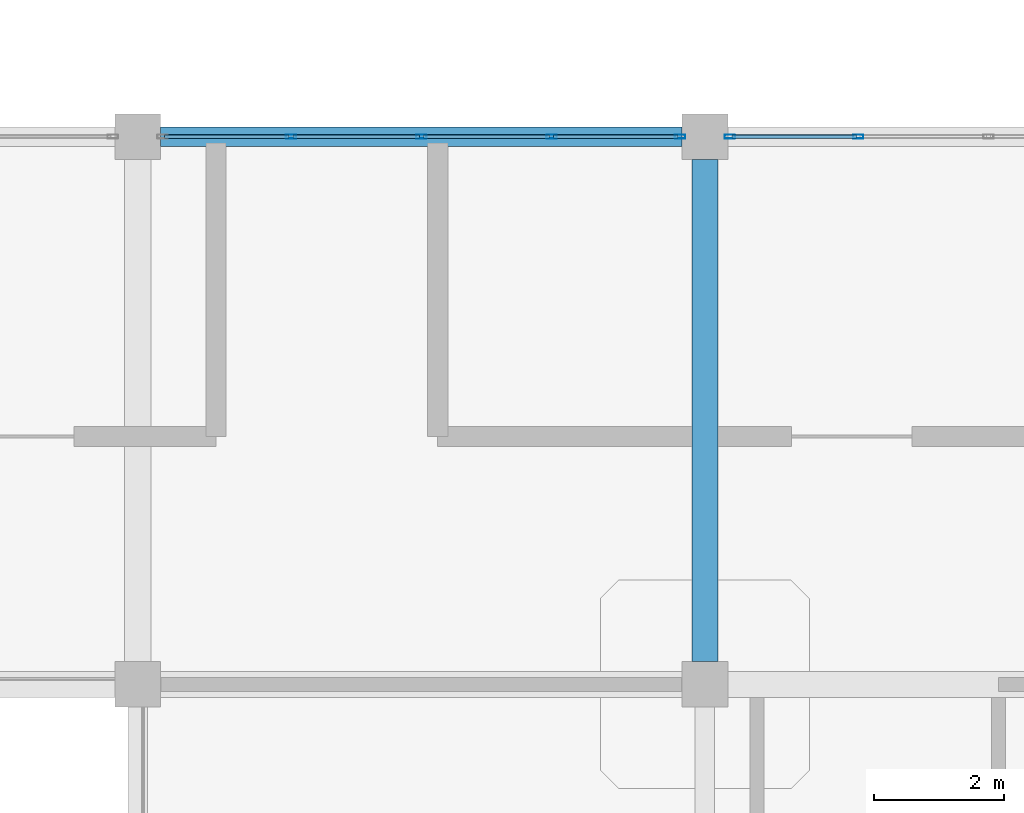
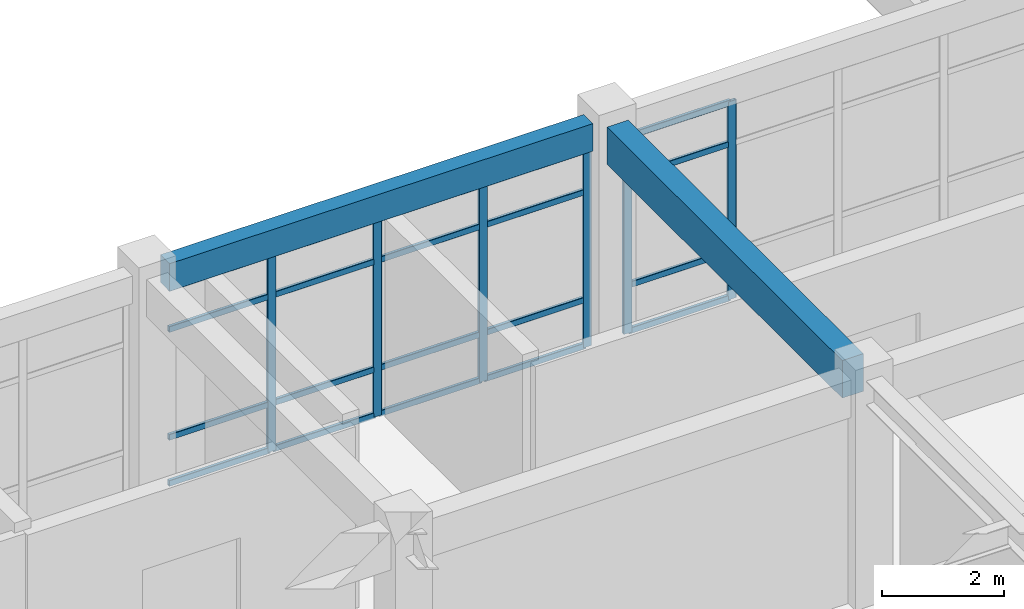
# One storey, part 38 of 76: 26 members, 2 beams, 2 elements without a shape of their own.
"""IFC4 building model written with IfcOpenShell, lengths in metres."""

from ifc_helpers import new_model, si_unit, derived_unit, direction, frame, origin, origin_2d, place, context, subcontext, project, spatial, rectangle, hollow_rectangle, extrude, material, layer, layer_set, material_profile, profile_set, type_object, element, aggregate, save


model = new_model("IFC4")

# Units and contexts
model_context = context("Model", 3, precision=1e-05, world=origin(), true_north=direction((0.0, 1.0)))
body_context = subcontext(model_context, "Body", "Model", "MODEL_VIEW")
ifc_project = project(units=[si_unit("LENGTHUNIT", "METRE"), si_unit("AREAUNIT", "SQUARE_METRE"), si_unit("VOLUMEUNIT", "CUBIC_METRE"), si_unit("PLANEANGLEUNIT", "RADIAN"), si_unit("MASSUNIT", "GRAM", prefix="KILO"), derived_unit("THERMALTRANSMITTANCEUNIT", [(si_unit("MASSUNIT", "GRAM", prefix="KILO"), 1), (si_unit("TIMEUNIT", "SECOND"), -3), (si_unit("THERMODYNAMICTEMPERATUREUNIT", "KELVIN"), -1)])], contexts=[model_context])

# Site, building, storey
site_placement = place(None, origin())
site = spatial("IfcSite", under=ifc_project, at=site_placement, CompositionType="ELEMENT")
building_placement = place(site_placement, origin())
building = spatial("IfcBuilding", under=site, at=building_placement, Name="Qinzheling Arcade Emporium", CompositionType="ELEMENT")
storey_placement = place(building_placement, frame((0.0, 0.0, 26.699951171875)))
storey = spatial("IfcBuildingStorey", under=building, at=storey_placement, Name="L06", CompositionType="ELEMENT", Elevation=26.699951171875)

# Curtain wall, members
ifc_material_1 = material(Name="Anodised aluminium and solar-control double glazing", Category="aluminium")
ifc_layer = layer(ifc_material_1, 0.159912109375, Name="Anodised aluminium and solar-control double glazing", Category="aluminium")
ifc_layer_set = layer_set([ifc_layer], Name="Anodised aluminium and solar-control double glazing")
curtain_wall_type = type_object("IfcCurtainWallType", Name="Atrium Clerestory Curtain Wall", PredefinedType="NOTDEFINED", material=ifc_layer_set)
curtain_wall_1_placement = place(storey_placement, origin())
curtain_wall_1 = element("IfcCurtainWall", 1, at=curtain_wall_1_placement, inside=storey, type_object=curtain_wall_type, Name="Curtain Wall CW-L06-371", PredefinedType="NOTDEFINED")
ifc_material_2 = material(Name="Anodised aluminium 6063-T6", Category="aluminium")
ifc_material_profile_1 = material_profile(ifc_material_2, hollow_rectangle(XDim=0.06005859375, YDim=0.159912109375, WallThickness=0.00390625, InnerFilletRadius=0.00390625, OuterFilletRadius=0.008056640625, at=origin_2d()), Name="RHS 160x60x4", Category="aluminium")
ifc_profile_set_1 = profile_set([ifc_material_profile_1], Name="Anodised aluminium 6063-T6")
member_type_1 = type_object("IfcMemberType", Name="Curtain Wall Mullion RHS160x60", PredefinedType="MULLION", material=ifc_profile_set_1)
member_1_placement = place(storey_placement, frame((89.35107421875, 73.800048828125, 0.0), z_axis=(0.0, 0.0, 1.0), x_axis=(0.0, 1.0, 0.0)))
member_1 = element("IfcMember", 2, at=member_1_placement, type_object=member_type_1, Name="CW03 mullion 2", PredefinedType="MULLION", context=body_context, shape_type="SweptSolid", body=[
    extrude(hollow_rectangle(XDim=0.06005859375, YDim=0.159912109375, WallThickness=0.00390625, InnerFilletRadius=0.00390625, OuterFilletRadius=0.008056640625, at=origin_2d()), origin(), (0.0, 0.0, 1.0), 3.955078125),
])
member_2_placement = place(storey_placement, frame((91.35009765625, 73.800048828125, 0.0), z_axis=(0.0, 0.0, 1.0), x_axis=(0.0, 1.0, 0.0)))
member_2 = element("IfcMember", 3, at=member_2_placement, type_object=member_type_1, Name="CW03 mullion 3", PredefinedType="MULLION", context=body_context, shape_type="SweptSolid", body=[
    extrude(hollow_rectangle(XDim=0.06005859375, YDim=0.159912109375, WallThickness=0.00390625, InnerFilletRadius=0.00390625, OuterFilletRadius=0.008056640625, at=origin_2d()), origin(), (0.0, 0.0, 1.0), 3.955078125),
])
member_3_placement = place(storey_placement, frame((93.34912109375, 73.800048828125, 0.0), z_axis=(0.0, 0.0, 1.0), x_axis=(0.0, 1.0, 0.0)))
member_3 = element("IfcMember", 4, at=member_3_placement, type_object=member_type_1, Name="CW03 mullion 4", PredefinedType="MULLION", context=body_context, shape_type="SweptSolid", body=[
    extrude(hollow_rectangle(XDim=0.06005859375, YDim=0.159912109375, WallThickness=0.00390625, InnerFilletRadius=0.00390625, OuterFilletRadius=0.008056640625, at=origin_2d()), origin(), (0.0, 0.0, 1.0), 3.955078125),
])
member_4_placement = place(storey_placement, frame((95.318115234375, 73.800048828125, 0.0), z_axis=(0.0, 0.0, 1.0), x_axis=(0.0, 1.0, 0.0)))
member_4 = element("IfcMember", 5, at=member_4_placement, type_object=member_type_1, Name="CW03 mullion 5", PredefinedType="MULLION", context=body_context, shape_type="SweptSolid", body=[
    extrude(hollow_rectangle(XDim=0.06005859375, YDim=0.159912109375, WallThickness=0.00390625, InnerFilletRadius=0.00390625, OuterFilletRadius=0.008056640625, at=origin_2d()), origin(), (0.0, 0.0, 1.0), 3.955078125),
])

curtain_wall_2_placement = place(storey_placement, origin())
curtain_wall_2 = element("IfcCurtainWall", 6, at=curtain_wall_2_placement, inside=storey, type_object=curtain_wall_type, Name="Curtain Wall CW-L06-372", PredefinedType="NOTDEFINED")
member_5_placement = place(storey_placement, frame((96.08203125, 73.800048828125, 0.0), z_axis=(0.0, 0.0, 1.0), x_axis=(0.0, 1.0, 0.0)))
member_5 = element("IfcMember", 7, at=member_5_placement, type_object=member_type_1, Name="CW03 mullion 1", PredefinedType="MULLION", context=body_context, shape_type="SweptSolid", body=[
    extrude(hollow_rectangle(XDim=0.06005859375, YDim=0.159912109375, WallThickness=0.00390625, InnerFilletRadius=0.00390625, OuterFilletRadius=0.008056640625, at=origin_2d()), origin(), (0.0, 0.0, 1.0), 3.955078125),
])
member_6_placement = place(storey_placement, frame((98.051025390625, 73.800048828125, 0.0), z_axis=(0.0, 0.0, 1.0), x_axis=(0.0, 1.0, 0.0)))
member_6 = element("IfcMember", 8, at=member_6_placement, type_object=member_type_1, Name="CW03 mullion 2", PredefinedType="MULLION", context=body_context, shape_type="SweptSolid", body=[
    extrude(hollow_rectangle(XDim=0.06005859375, YDim=0.159912109375, WallThickness=0.00390625, InnerFilletRadius=0.00390625, OuterFilletRadius=0.008056640625, at=origin_2d()), origin(), (0.0, 0.0, 1.0), 3.955078125),
])

# Member
ifc_material_profile_2 = material_profile(ifc_material_2, hollow_rectangle(XDim=0.06005859375, YDim=0.1201171875, WallThickness=0.00390625, InnerFilletRadius=0.00390625, OuterFilletRadius=0.008056640625, at=origin_2d()), Name="RHS 120x60x4", Category="aluminium")
ifc_profile_set_2 = profile_set([ifc_material_profile_2], Name="Anodised aluminium 6063-T6")
member_type_2 = type_object("IfcMemberType", Name="Curtain Wall Transom RHS120x60", PredefinedType="USERDEFINED", material=ifc_profile_set_2)
member_7_placement = place(storey_placement, frame((87.412109375, 73.800048828125, 0.030029296875), z_axis=(1.0, 0.0, 0.0), x_axis=(0.0, 1.0, 0.0)))
member_7 = element("IfcMember", 9, at=member_7_placement, type_object=member_type_2, Name="CW03 transom 1.1", ObjectType="TRANSOM", PredefinedType="USERDEFINED", context=body_context, shape_type="SweptSolid", body=[
    extrude(hollow_rectangle(XDim=0.06005859375, YDim=0.1201171875, WallThickness=0.00390625, InnerFilletRadius=0.00390625, OuterFilletRadius=0.008056640625, at=origin_2d()), origin(), (0.0, 0.0, 1.0), 1.908935546875),
])

member_8_placement = place(storey_placement, frame((87.412109375, 73.800048828125, 0.949951171875), z_axis=(1.0, 0.0, 0.0), x_axis=(0.0, 1.0, 0.0)))
member_8 = element("IfcMember", 10, at=member_8_placement, type_object=member_type_2, Name="CW03 transom 1.2", ObjectType="TRANSOM", PredefinedType="USERDEFINED", context=body_context, shape_type="SweptSolid", body=[
    extrude(hollow_rectangle(XDim=0.06005859375, YDim=0.1201171875, WallThickness=0.00390625, InnerFilletRadius=0.00390625, OuterFilletRadius=0.008056640625, at=origin_2d()), origin(), (0.0, 0.0, 1.0), 1.908935546875),
])

member_9_placement = place(storey_placement, frame((87.412109375, 73.800048828125, 3.10498046875), z_axis=(1.0, 0.0, 0.0), x_axis=(0.0, 1.0, 0.0)))
member_9 = element("IfcMember", 11, at=member_9_placement, type_object=member_type_2, Name="CW03 transom 1.3", ObjectType="TRANSOM", PredefinedType="USERDEFINED", context=body_context, shape_type="SweptSolid", body=[
    extrude(hollow_rectangle(XDim=0.06005859375, YDim=0.1201171875, WallThickness=0.00390625, InnerFilletRadius=0.00390625, OuterFilletRadius=0.008056640625, at=origin_2d()), origin(), (0.0, 0.0, 1.0), 1.908935546875),
])

member_10_placement = place(storey_placement, frame((87.412109375, 73.800048828125, 3.925048828125), z_axis=(1.0, 0.0, 0.0), x_axis=(0.0, 1.0, 0.0)))
member_10 = element("IfcMember", 12, at=member_10_placement, type_object=member_type_2, Name="CW03 transom 1.4", ObjectType="TRANSOM", PredefinedType="USERDEFINED", context=body_context, shape_type="SweptSolid", body=[
    extrude(hollow_rectangle(XDim=0.06005859375, YDim=0.1201171875, WallThickness=0.00390625, InnerFilletRadius=0.00390625, OuterFilletRadius=0.008056640625, at=origin_2d()), origin(), (0.0, 0.0, 1.0), 1.908935546875),
])

member_11_placement = place(storey_placement, frame((89.381103515625, 73.800048828125, 0.030029296875), z_axis=(1.0, 0.0, 0.0), x_axis=(0.0, 1.0, 0.0)))
member_11 = element("IfcMember", 13, at=member_11_placement, type_object=member_type_2, Name="CW03 transom 2.1", ObjectType="TRANSOM", PredefinedType="USERDEFINED", context=body_context, shape_type="SweptSolid", body=[
    extrude(hollow_rectangle(XDim=0.06005859375, YDim=0.1201171875, WallThickness=0.00390625, InnerFilletRadius=0.00390625, OuterFilletRadius=0.008056640625, at=origin_2d()), origin(), (0.0, 0.0, 1.0), 1.93896484375),
])

member_12_placement = place(storey_placement, frame((89.381103515625, 73.800048828125, 0.949951171875), z_axis=(1.0, 0.0, 0.0), x_axis=(0.0, 1.0, 0.0)))
member_12 = element("IfcMember", 14, at=member_12_placement, type_object=member_type_2, Name="CW03 transom 2.2", ObjectType="TRANSOM", PredefinedType="USERDEFINED", context=body_context, shape_type="SweptSolid", body=[
    extrude(hollow_rectangle(XDim=0.06005859375, YDim=0.1201171875, WallThickness=0.00390625, InnerFilletRadius=0.00390625, OuterFilletRadius=0.008056640625, at=origin_2d()), origin(), (0.0, 0.0, 1.0), 1.93896484375),
])

member_13_placement = place(storey_placement, frame((89.381103515625, 73.800048828125, 3.10498046875), z_axis=(1.0, 0.0, 0.0), x_axis=(0.0, 1.0, 0.0)))
member_13 = element("IfcMember", 15, at=member_13_placement, type_object=member_type_2, Name="CW03 transom 2.3", ObjectType="TRANSOM", PredefinedType="USERDEFINED", context=body_context, shape_type="SweptSolid", body=[
    extrude(hollow_rectangle(XDim=0.06005859375, YDim=0.1201171875, WallThickness=0.00390625, InnerFilletRadius=0.00390625, OuterFilletRadius=0.008056640625, at=origin_2d()), origin(), (0.0, 0.0, 1.0), 1.93896484375),
])

member_14_placement = place(storey_placement, frame((89.381103515625, 73.800048828125, 3.925048828125), z_axis=(1.0, 0.0, 0.0), x_axis=(0.0, 1.0, 0.0)))
member_14 = element("IfcMember", 16, at=member_14_placement, type_object=member_type_2, Name="CW03 transom 2.4", ObjectType="TRANSOM", PredefinedType="USERDEFINED", context=body_context, shape_type="SweptSolid", body=[
    extrude(hollow_rectangle(XDim=0.06005859375, YDim=0.1201171875, WallThickness=0.00390625, InnerFilletRadius=0.00390625, OuterFilletRadius=0.008056640625, at=origin_2d()), origin(), (0.0, 0.0, 1.0), 1.93896484375),
])

member_15_placement = place(storey_placement, frame((91.3798828125, 73.800048828125, 0.030029296875), z_axis=(1.0, 0.0, 0.0), x_axis=(0.0, 1.0, 0.0)))
member_15 = element("IfcMember", 17, at=member_15_placement, type_object=member_type_2, Name="CW03 transom 3.1", ObjectType="TRANSOM", PredefinedType="USERDEFINED", context=body_context, shape_type="SweptSolid", body=[
    extrude(hollow_rectangle(XDim=0.06005859375, YDim=0.1201171875, WallThickness=0.00390625, InnerFilletRadius=0.00390625, OuterFilletRadius=0.008056640625, at=origin_2d()), origin(), (0.0, 0.0, 1.0), 1.939208984375),
])

member_16_placement = place(storey_placement, frame((91.3798828125, 73.800048828125, 0.949951171875), z_axis=(1.0, 0.0, 0.0), x_axis=(0.0, 1.0, 0.0)))
member_16 = element("IfcMember", 18, at=member_16_placement, type_object=member_type_2, Name="CW03 transom 3.2", ObjectType="TRANSOM", PredefinedType="USERDEFINED", context=body_context, shape_type="SweptSolid", body=[
    extrude(hollow_rectangle(XDim=0.06005859375, YDim=0.1201171875, WallThickness=0.00390625, InnerFilletRadius=0.00390625, OuterFilletRadius=0.008056640625, at=origin_2d()), origin(), (0.0, 0.0, 1.0), 1.939208984375),
])

member_17_placement = place(storey_placement, frame((91.3798828125, 73.800048828125, 3.10498046875), z_axis=(1.0, 0.0, 0.0), x_axis=(0.0, 1.0, 0.0)))
member_17 = element("IfcMember", 19, at=member_17_placement, type_object=member_type_2, Name="CW03 transom 3.3", ObjectType="TRANSOM", PredefinedType="USERDEFINED", context=body_context, shape_type="SweptSolid", body=[
    extrude(hollow_rectangle(XDim=0.06005859375, YDim=0.1201171875, WallThickness=0.00390625, InnerFilletRadius=0.00390625, OuterFilletRadius=0.008056640625, at=origin_2d()), origin(), (0.0, 0.0, 1.0), 1.939208984375),
])

member_18_placement = place(storey_placement, frame((91.3798828125, 73.800048828125, 3.925048828125), z_axis=(1.0, 0.0, 0.0), x_axis=(0.0, 1.0, 0.0)))
member_18 = element("IfcMember", 20, at=member_18_placement, type_object=member_type_2, Name="CW03 transom 3.4", ObjectType="TRANSOM", PredefinedType="USERDEFINED", context=body_context, shape_type="SweptSolid", body=[
    extrude(hollow_rectangle(XDim=0.06005859375, YDim=0.1201171875, WallThickness=0.00390625, InnerFilletRadius=0.00390625, OuterFilletRadius=0.008056640625, at=origin_2d()), origin(), (0.0, 0.0, 1.0), 1.939208984375),
])

member_19_placement = place(storey_placement, frame((93.37890625, 73.800048828125, 0.030029296875), z_axis=(1.0, 0.0, 0.0), x_axis=(0.0, 1.0, 0.0)))
member_19 = element("IfcMember", 21, at=member_19_placement, type_object=member_type_2, Name="CW03 transom 4.1", ObjectType="TRANSOM", PredefinedType="USERDEFINED", context=body_context, shape_type="SweptSolid", body=[
    extrude(hollow_rectangle(XDim=0.06005859375, YDim=0.1201171875, WallThickness=0.00390625, InnerFilletRadius=0.00390625, OuterFilletRadius=0.008056640625, at=origin_2d()), origin(), (0.0, 0.0, 1.0), 1.9091796875),
])

member_20_placement = place(storey_placement, frame((93.37890625, 73.800048828125, 0.949951171875), z_axis=(1.0, 0.0, 0.0), x_axis=(0.0, 1.0, 0.0)))
member_20 = element("IfcMember", 22, at=member_20_placement, type_object=member_type_2, Name="CW03 transom 4.2", ObjectType="TRANSOM", PredefinedType="USERDEFINED", context=body_context, shape_type="SweptSolid", body=[
    extrude(hollow_rectangle(XDim=0.06005859375, YDim=0.1201171875, WallThickness=0.00390625, InnerFilletRadius=0.00390625, OuterFilletRadius=0.008056640625, at=origin_2d()), origin(), (0.0, 0.0, 1.0), 1.9091796875),
])

member_21_placement = place(storey_placement, frame((93.37890625, 73.800048828125, 3.10498046875), z_axis=(1.0, 0.0, 0.0), x_axis=(0.0, 1.0, 0.0)))
member_21 = element("IfcMember", 23, at=member_21_placement, type_object=member_type_2, Name="CW03 transom 4.3", ObjectType="TRANSOM", PredefinedType="USERDEFINED", context=body_context, shape_type="SweptSolid", body=[
    extrude(hollow_rectangle(XDim=0.06005859375, YDim=0.1201171875, WallThickness=0.00390625, InnerFilletRadius=0.00390625, OuterFilletRadius=0.008056640625, at=origin_2d()), origin(), (0.0, 0.0, 1.0), 1.9091796875),
])

member_22_placement = place(storey_placement, frame((93.37890625, 73.800048828125, 3.925048828125), z_axis=(1.0, 0.0, 0.0), x_axis=(0.0, 1.0, 0.0)))
member_22 = element("IfcMember", 24, at=member_22_placement, type_object=member_type_2, Name="CW03 transom 4.4", ObjectType="TRANSOM", PredefinedType="USERDEFINED", context=body_context, shape_type="SweptSolid", body=[
    extrude(hollow_rectangle(XDim=0.06005859375, YDim=0.1201171875, WallThickness=0.00390625, InnerFilletRadius=0.00390625, OuterFilletRadius=0.008056640625, at=origin_2d()), origin(), (0.0, 0.0, 1.0), 1.9091796875),
])

aggregate(curtain_wall_1, [member_1, member_2, member_3, member_4, member_7, member_8, member_9, member_10, member_11, member_12, member_13, member_14, member_15, member_16, member_17, member_18, member_19, member_20, member_21, member_22])

member_23_placement = place(storey_placement, frame((96.112060546875, 73.800048828125, 0.030029296875), z_axis=(1.0, 0.0, 0.0), x_axis=(0.0, 1.0, 0.0)))
member_23 = element("IfcMember", 25, at=member_23_placement, type_object=member_type_2, Name="CW03 transom 1.1", ObjectType="TRANSOM", PredefinedType="USERDEFINED", context=body_context, shape_type="SweptSolid", body=[
    extrude(hollow_rectangle(XDim=0.06005859375, YDim=0.1201171875, WallThickness=0.00390625, InnerFilletRadius=0.00390625, OuterFilletRadius=0.008056640625, at=origin_2d()), origin(), (0.0, 0.0, 1.0), 1.908935546875),
])

member_24_placement = place(storey_placement, frame((96.112060546875, 73.800048828125, 0.949951171875), z_axis=(1.0, 0.0, 0.0), x_axis=(0.0, 1.0, 0.0)))
member_24 = element("IfcMember", 26, at=member_24_placement, type_object=member_type_2, Name="CW03 transom 1.2", ObjectType="TRANSOM", PredefinedType="USERDEFINED", context=body_context, shape_type="SweptSolid", body=[
    extrude(hollow_rectangle(XDim=0.06005859375, YDim=0.1201171875, WallThickness=0.00390625, InnerFilletRadius=0.00390625, OuterFilletRadius=0.008056640625, at=origin_2d()), origin(), (0.0, 0.0, 1.0), 1.908935546875),
])

member_25_placement = place(storey_placement, frame((96.112060546875, 73.800048828125, 3.10498046875), z_axis=(1.0, 0.0, 0.0), x_axis=(0.0, 1.0, 0.0)))
member_25 = element("IfcMember", 27, at=member_25_placement, type_object=member_type_2, Name="CW03 transom 1.3", ObjectType="TRANSOM", PredefinedType="USERDEFINED", context=body_context, shape_type="SweptSolid", body=[
    extrude(hollow_rectangle(XDim=0.06005859375, YDim=0.1201171875, WallThickness=0.00390625, InnerFilletRadius=0.00390625, OuterFilletRadius=0.008056640625, at=origin_2d()), origin(), (0.0, 0.0, 1.0), 1.908935546875),
])

member_26_placement = place(storey_placement, frame((96.112060546875, 73.800048828125, 3.925048828125), z_axis=(1.0, 0.0, 0.0), x_axis=(0.0, 1.0, 0.0)))
member_26 = element("IfcMember", 28, at=member_26_placement, type_object=member_type_2, Name="CW03 transom 1.4", ObjectType="TRANSOM", PredefinedType="USERDEFINED", context=body_context, shape_type="SweptSolid", body=[
    extrude(hollow_rectangle(XDim=0.06005859375, YDim=0.1201171875, WallThickness=0.00390625, InnerFilletRadius=0.00390625, OuterFilletRadius=0.008056640625, at=origin_2d()), origin(), (0.0, 0.0, 1.0), 1.908935546875),
])

aggregate(curtain_wall_2, [member_5, member_6, member_23, member_24, member_25, member_26])

# Beams
ifc_material_3 = material(Name="Concrete C40", Category="concrete")
ifc_material_profile_3 = material_profile(ifc_material_3, rectangle(XDim=0.39990234375, YDim=0.75, at=origin_2d()), Name="RC 400x750", Category="concrete")
ifc_profile_set_3 = profile_set([ifc_material_profile_3], Name="Concrete C40")
beam_type_1 = type_object("IfcBeamType", Name="RC Interior Tie Beam 400x750 C40", PredefinedType="BEAM", material=ifc_profile_set_3)
beam_1_placement = place(storey_placement, frame((95.699951171875, 65.75, 4.14501953125), z_axis=(0.0, 1.0, 0.0), x_axis=(-1.0, 0.0, 0.0)))
element("IfcBeam", 29, at=beam_1_placement, inside=storey, type_object=beam_type_1, Name="Beam BM-L06-Y-12-H", PredefinedType="BEAM", context=body_context, shape_type="SweptSolid", body=[
    extrude(rectangle(XDim=0.39990234375, YDim=0.75, at=origin_2d()), origin(), (0.0, 0.0, 1.0), 7.699951171875),
])
ifc_material_profile_4 = material_profile(ifc_material_3, rectangle(XDim=0.300048828125, YDim=0.550048828125, at=origin_2d()), Name="RC 300x550", Category="concrete")
ifc_profile_set_4 = profile_set([ifc_material_profile_4], Name="Concrete C40")
beam_type_2 = type_object("IfcBeamType", Name="RC Terrace Spandrel Beam 300x550 C40", PredefinedType="SPANDREL", material=ifc_profile_set_4)
beam_2_placement = place(storey_placement, frame((87.35009765625, 73.800048828125, 4.2451171875), z_axis=(1.0, 0.0, 0.0), x_axis=(0.0, 1.0, 0.0)))
element("IfcBeam", 30, at=beam_2_placement, inside=storey, type_object=beam_type_2, Name="Beam BM-L06-X-J-11", PredefinedType="SPANDREL", context=body_context, shape_type="SweptSolid", body=[
    extrude(rectangle(XDim=0.300048828125, YDim=0.550048828125, at=origin_2d()), origin(), (0.0, 0.0, 1.0), 8.0),
])

save(model, "model.ifc")
